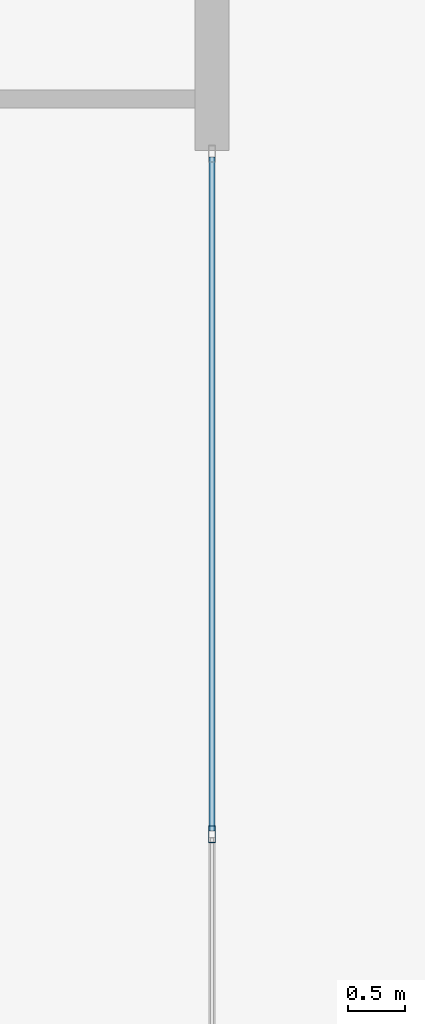
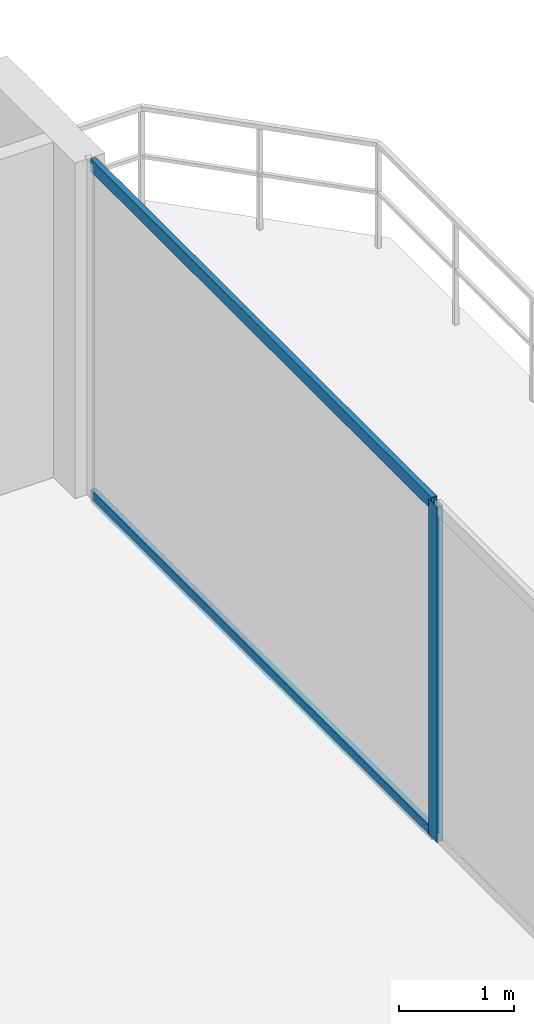
# One storey, part 12 of 19: 3 members, 1 element without a shape of its own.
"""IFC4 building model written with IfcOpenShell, lengths in metres."""

import ifcopenshell
import ifcopenshell.guid

model = None  # the IFC model being written
_history = None  # IfcOwnerHistory: only IFC2X3 demands one
_inside = {}  # id of a spatial element -> (the spatial element, [elements in it])
_under = {}  # id of a project, library or spatial element -> (it, [spatial elements below it])
_declared = {}  # id of a project -> (the project, [libraries it declares])
_typed = {}  # id of a type object -> (the type object, [elements of that type])
_made_of = {}  # id of a material, layer set ... -> (it, [elements and type objects made of it])


def new_model(schema):
    """Start an empty IFC model of exactly this schema.

    Asked for "IFC4X3", IfcOpenShell would pick the latest addendum, in which some entities
    have other attributes; the version numbers below select the first issue.
    IFC2X3 requires an IfcOwnerHistory on every rooted entity: one is made here for all.
    """
    global model, _history
    if schema == "IFC4X3":
        model = ifcopenshell.file(schema_version=(4, 3, 0, 0))
    else:
        model = ifcopenshell.file(schema=schema)
    _inside.clear()
    _under.clear()
    _declared.clear()
    _typed.clear()
    _made_of.clear()
    _history = None
    if model.schema == "IFC2X3":
        org = make("IfcOrganization", Name="unknown")
        user = make(
            "IfcPersonAndOrganization",
            ThePerson=make("IfcPerson", FamilyName="unknown"),
            TheOrganization=org,
        )
        app = make(
            "IfcApplication",
            ApplicationDeveloper=org,
            Version="unknown",
            ApplicationFullName="unknown",
            ApplicationIdentifier="unknown",
        )
        _history = make(
            "IfcOwnerHistory",
            OwningUser=user,
            OwningApplication=app,
            ChangeAction="ADDED",
            CreationDate=0,
        )
    return model


def make(cls, **values):
    """One entity of the class cls with the attributes given. An attribute that is None is left unset."""
    return model.create_entity(
        cls, **{name: value for name, value in values.items() if value is not None}
    )


def rooted(cls, **values):
    """An entity with a GlobalId (a new one), such as an element, a storey or a relation."""
    return make(cls, GlobalId=ifcopenshell.guid.new(), OwnerHistory=_history, **values)


def si_unit(unit_type, name, prefix=None):
    """IfcSIUnit, for example si_unit("LENGTHUNIT", "METRE", prefix="MILLI")."""
    return make("IfcSIUnit", UnitType=unit_type, Prefix=prefix, Name=name)


def assignment(units):
    """IfcUnitAssignment: the units of a project."""
    return None if units is None else make("IfcUnitAssignment", Units=units)


def point(xyz):
    """IfcCartesianPoint."""
    return None if xyz is None else make("IfcCartesianPoint", Coordinates=xyz)


def direction(xyz):
    """IfcDirection."""
    return None if xyz is None else make("IfcDirection", DirectionRatios=xyz)


def frame(location, z_axis=None, x_axis=None):
    """IfcAxis2Placement3D, a coordinate frame: its origin and axes. An axis left out is left unset."""
    return make(
        "IfcAxis2Placement3D",
        Location=point(location),
        Axis=direction(z_axis),
        RefDirection=direction(x_axis),
    )


def frame_2d(location, x_axis=None):
    """IfcAxis2Placement2D, a coordinate frame in the plane: its origin and x axis."""
    return make(
        "IfcAxis2Placement2D", Location=point(location), RefDirection=direction(x_axis)
    )


def origin():
    """The frame at (0, 0, 0) with its axes left unset."""
    return frame((0.0, 0.0, 0.0))


def origin_2d():
    """The frame at (0, 0) in the plane with its x axis left unset."""
    return frame_2d((0.0, 0.0))


def place(relative_to, where):
    """IfcLocalPlacement: puts the frame where relative to a parent placement (None: the world)."""
    return make(
        "IfcLocalPlacement", PlacementRelTo=relative_to, RelativePlacement=where
    )


def context(
    kind, dimensions, precision=None, world=None, true_north=None, identifier=None
):
    """IfcGeometricRepresentationContext, for example the 3D "Model" context."""
    return make(
        "IfcGeometricRepresentationContext",
        ContextIdentifier=identifier,
        ContextType=kind,
        CoordinateSpaceDimension=dimensions,
        Precision=precision,
        WorldCoordinateSystem=world,
        TrueNorth=true_north,
    )


def subcontext(parent, identifier, kind, view, scale=None):
    """IfcGeometricRepresentationSubContext, for example "Body" below "Model"."""
    return make(
        "IfcGeometricRepresentationSubContext",
        ContextIdentifier=identifier,
        ContextType=kind,
        ParentContext=parent,
        TargetScale=scale,
        TargetView=view,
    )


def project(units=None, contexts=None):
    """IfcProject with its units and contexts."""
    return rooted(
        "IfcProject",
        Name="project",
        RepresentationContexts=contexts,
        UnitsInContext=assignment(units),
    )


def spatial(cls, under=None, at=None, **own):
    """A site, building, storey or space (cls), placed at a placement, below another one or the project."""
    s = rooted(cls, ObjectPlacement=at, **own)
    if under is not None:
        _under.setdefault(under.id(), (under, []))[1].append(s)
    return s


def profile(cls, at=None, kind="AREA", **sizes):
    """A parametric profile (cls). Its sizes go by their IFC names, for example OverallWidth=200.0."""
    return make(cls, ProfileType=kind, Position=at, **sizes)


def hollow_rectangle(**sizes):
    """IfcRectangleHollowProfileDef."""
    return profile("IfcRectangleHollowProfileDef", **sizes)


def extrude(swept, where, along, depth):
    """IfcExtrudedAreaSolid: the profile swept, set in the frame where, extruded along a direction by depth."""
    return make(
        "IfcExtrudedAreaSolid",
        SweptArea=swept,
        Position=where,
        ExtrudedDirection=direction(along),
        Depth=depth,
    )


def shape(context_of_items, identifier, shape_type, items):
    """IfcShapeRepresentation: the items that make up one representation, for example the "Body"."""
    return make(
        "IfcShapeRepresentation",
        ContextOfItems=context_of_items,
        RepresentationIdentifier=identifier,
        RepresentationType=shape_type,
        Items=items,
    )


def material(Name=None, Category=None):
    """IfcMaterial."""
    return make("IfcMaterial", Name=Name, Category=Category)


def layer(
    of_material, thickness, ventilated=None, Name=None, Category=None, Priority=None
):
    """IfcMaterialLayer: one layer of a wall or slab, of a material (None: an air gap)."""
    return make(
        "IfcMaterialLayer",
        Material=of_material,
        LayerThickness=thickness,
        IsVentilated=ventilated,
        Name=Name,
        Category=Category,
        Priority=Priority,
    )


def layer_set(layers, Name=None):
    """IfcMaterialLayerSet."""
    return make("IfcMaterialLayerSet", MaterialLayers=layers, LayerSetName=Name)


def material_profile(
    of_material, cross_section, Name=None, Category=None, Priority=None
):
    """IfcMaterialProfile: a cross section and its material."""
    return make(
        "IfcMaterialProfile",
        Name=Name,
        Material=of_material,
        Profile=cross_section,
        Priority=Priority,
        Category=Category,
    )


def profile_set(profiles, Name=None, composite=None):
    """IfcMaterialProfileSet."""
    return make(
        "IfcMaterialProfileSet",
        Name=Name,
        MaterialProfiles=profiles,
        CompositeProfile=composite,
    )


def made_of(thing, what):
    """Note that an element or type object is made of a material, layer set ...; save() writes the relation."""
    if what is not None:
        _made_of.setdefault(what.id(), (what, []))[1].append(thing)
    return thing


def type_object(cls, material=None, **own):
    """A type object (cls), such as IfcWallType, which elements share."""
    return made_of(rooted(cls, **own), material)


def element(
    cls,
    number,
    at=None,
    inside=None,
    cuts=None,
    type_object=None,
    material=None,
    context=None,
    identifier="Body",
    shape_type=None,
    held_by="IfcProductDefinitionShape",
    body=None,
    shapes=None,
    **own,
):
    """One element of the class cls, such as IfcWall. Its Tag is "e" and its number.

    at: its placement. inside: the storey or other place that contains it. cuts: it is an
    opening in that element (IfcRelVoidsElement). A single representation is given by context,
    identifier, shape_type and body (its items); several are given by shapes. held_by: the class
    of the entity that holds the representations. save() writes the other relations.
    """
    e = rooted(cls, Tag="e%d" % number, ObjectPlacement=at, **own)
    if body is not None:
        shapes = [shape(context, identifier, shape_type, body)]
    if shapes is not None:
        e.Representation = make(held_by, Representations=shapes)
    if inside is not None:
        _inside.setdefault(inside.id(), (inside, []))[1].append(e)
    if cuts is not None:
        rooted(
            "IfcRelVoidsElement", RelatingBuildingElement=cuts, RelatedOpeningElement=e
        )
    if type_object is not None:
        _typed.setdefault(type_object.id(), (type_object, []))[1].append(e)
    return made_of(e, material)


def aggregate(whole, parts):
    """IfcRelAggregates: a whole, such as a stair, and the parts it consists of."""
    return rooted("IfcRelAggregates", RelatingObject=whole, RelatedObjects=parts)


def save(model, path):
    """Write the relations noted so far, then the file.

    IfcRelAggregates (storeys below a building ...), IfcRelContainedInSpatialStructure (elements
    in a storey), IfcRelDefinesByType, IfcRelAssociatesMaterial and IfcRelDeclares: one each for
    every whole, place, type object, material and project.
    """
    for whole, parts in _under.values():
        aggregate(whole, parts)
    for where, things in _inside.values():
        rooted(
            "IfcRelContainedInSpatialStructure",
            RelatedElements=things,
            RelatingStructure=where,
        )
    for kind, things in _typed.values():
        rooted("IfcRelDefinesByType", RelatedObjects=things, RelatingType=kind)
    for what, things in _made_of.values():
        rooted("IfcRelAssociatesMaterial", RelatedObjects=things, RelatingMaterial=what)
    for by, libraries in _declared.values():
        rooted("IfcRelDeclares", RelatingContext=by, RelatedDefinitions=libraries)
    model.write(path)


model = new_model("IFC4")

# Units and contexts
model_context = context("Model", 3, precision=1e-05, world=origin(), true_north=direction((0.0, 1.0)))
body_context = subcontext(model_context, "Body", "Model", "MODEL_VIEW")
ifc_project = project(units=[si_unit("LENGTHUNIT", "METRE"), si_unit("AREAUNIT", "SQUARE_METRE"), si_unit("VOLUMEUNIT", "CUBIC_METRE"), si_unit("PLANEANGLEUNIT", "RADIAN"), si_unit("MASSUNIT", "GRAM", prefix="KILO")], contexts=[model_context])

# Site, building, storey
site_placement = place(None, origin())
site = spatial("IfcSite", under=ifc_project, at=site_placement, CompositionType="ELEMENT")
building_placement = place(site_placement, origin())
building = spatial("IfcBuilding", under=site, at=building_placement, Name="Zuhayl Quay Hotel", CompositionType="ELEMENT")
storey_placement = place(building_placement, frame((0.0, 0.0, 304.85009765625)))
storey = spatial("IfcBuildingStorey", under=building, at=storey_placement, Name="Crown 3", CompositionType="ELEMENT", Elevation=304.85009765625)

# Curtain wall, members
ifc_material_1 = material(Name="Anodised Aluminium 6063-T6", Category="aluminium")
ifc_layer = layer(ifc_material_1, 0.159912109375, Name="Anodised Aluminium 6063-T6", Category="aluminium")
ifc_layer_set = layer_set([ifc_layer], Name="Anodised Aluminium 6063-T6")
curtain_wall_type = type_object("IfcCurtainWallType", Name="CW_SYS_CRN", PredefinedType="USERDEFINED", material=ifc_layer_set)
curtain_wall_placement = place(storey_placement, origin())
curtain_wall = element("IfcCurtainWall", 1, at=curtain_wall_placement, inside=storey, type_object=curtain_wall_type, Name="Crown 3 Curtain Wall ENV_CR3_E5_CW1", ObjectType="UNITISED CURTAIN WALL", PredefinedType="USERDEFINED")
ifc_material_2 = material(Name="Black-anodised aluminium 6063-T6", Category="aluminium")
ifc_material_profile_1 = material_profile(ifc_material_2, hollow_rectangle(XDim=0.06005859375, YDim=0.14990234375, WallThickness=0.00341796875, at=origin_2d()), Name="ALU150X60")
ifc_profile_set_1 = profile_set([ifc_material_profile_1], Name="Black-anodised aluminium 6063-T6")
member_type_1 = type_object("IfcMemberType", Name="MB_CW_MUL_150", PredefinedType="MULLION", material=ifc_profile_set_1)
member_1_placement = place(storey_placement, frame((12.60009765625, 28.987548828125, 0.0), z_axis=(0.0, 0.0, 1.0), x_axis=(1.0, 0.0, 0.0)))
member_1 = element("IfcMember", 2, at=member_1_placement, type_object=member_type_1, Name="CW-CRN mullion 2", PredefinedType="MULLION", context=body_context, shape_type="SweptSolid", body=[
    extrude(hollow_rectangle(XDim=0.06005859375, YDim=0.14990234375, WallThickness=0.00341796875, at=origin_2d()), origin(), (0.0, 0.0, 1.0), 3.559814453125),
])
ifc_material_profile_2 = material_profile(ifc_material_2, hollow_rectangle(XDim=0.054931640625, YDim=0.1298828125, WallThickness=0.0029296875, at=origin_2d()), Name="ALU130X55")
ifc_profile_set_2 = profile_set([ifc_material_profile_2], Name="Black-anodised aluminium 6063-T6")
member_type_2 = type_object("IfcMemberType", Name="MB_CW_TRN_130", PredefinedType="USERDEFINED", material=ifc_profile_set_2)
member_2_placement = place(storey_placement, frame((12.60009765625, 34.93994140625, 0.02734375), z_axis=(0.0, -1.0, 0.0), x_axis=(1.0, 0.0, 0.0)))
member_2 = element("IfcMember", 3, at=member_2_placement, type_object=member_type_2, Name="CW-CRN transom 1.1", ObjectType="TRANSOM", PredefinedType="USERDEFINED", context=body_context, shape_type="SweptSolid", body=[
    extrude(hollow_rectangle(XDim=0.054931640625, YDim=0.1298828125, WallThickness=0.0029296875, at=origin_2d()), origin(), (0.0, 0.0, 1.0), 5.92236328125),
])
member_3_placement = place(storey_placement, frame((12.60009765625, 34.93994140625, 3.532470703125), z_axis=(0.0, -1.0, 0.0), x_axis=(1.0, 0.0, 0.0)))
member_3 = element("IfcMember", 4, at=member_3_placement, type_object=member_type_2, Name="CW-CRN transom 1.2", ObjectType="TRANSOM", PredefinedType="USERDEFINED", context=body_context, shape_type="SweptSolid", body=[
    extrude(hollow_rectangle(XDim=0.054931640625, YDim=0.1298828125, WallThickness=0.0029296875, at=origin_2d()), origin(), (0.0, 0.0, 1.0), 5.92236328125),
])
aggregate(curtain_wall, [member_1, member_2, member_3])

save(model, "model.ifc")
